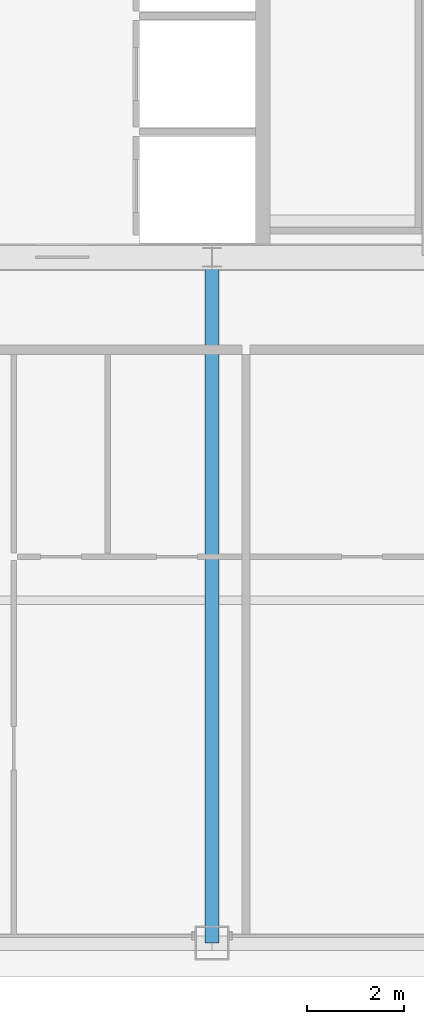
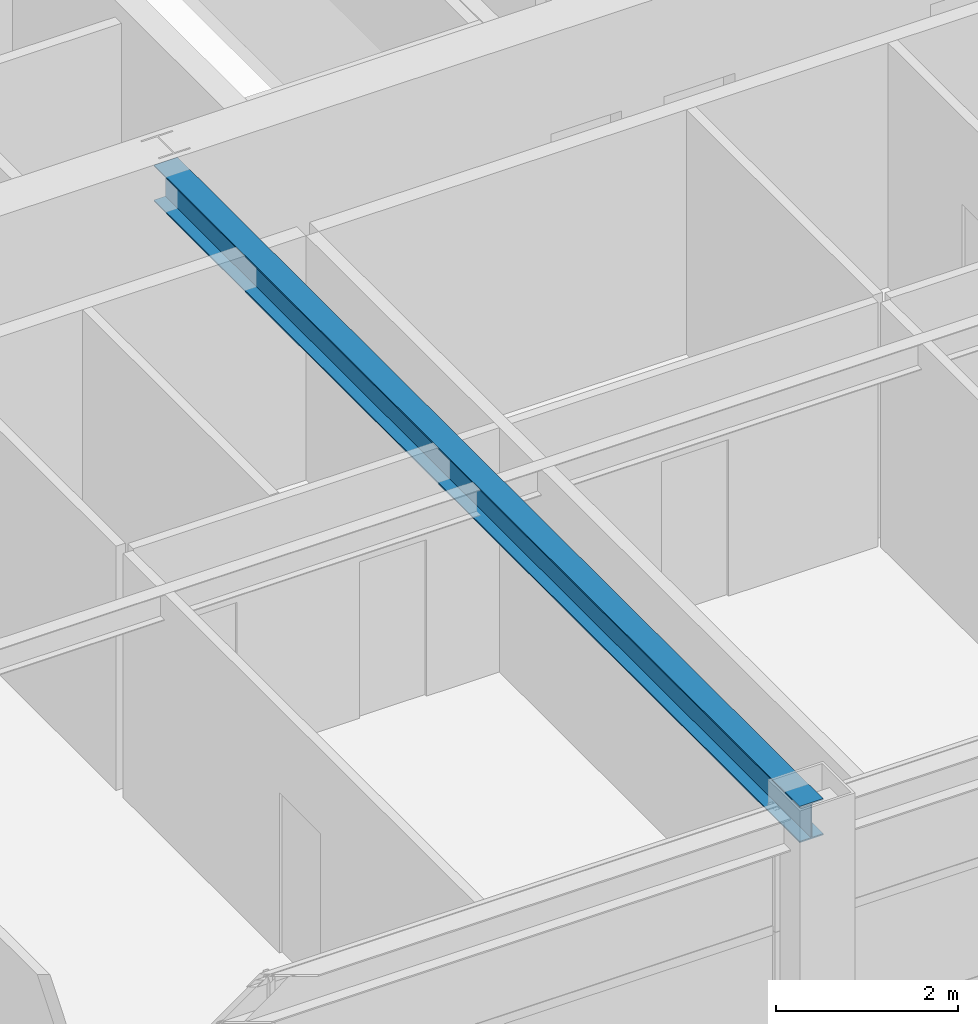
# One storey, part 10 of 36: 1 beam.
"""IFC4 building model written with IfcOpenShell, lengths in metres."""

from ifc_helpers import new_model, si_unit, direction, frame, origin, origin_2d, place, context, subcontext, project, spatial, i_section, extrude, source, transform, mapped, material, material_profile, profile_set, type_object, element, save


model = new_model("IFC4")

# Units and contexts
model_context = context("Model", 3, precision=1e-05, world=origin(), true_north=direction((0.0, 1.0)))
body_context = subcontext(model_context, "Body", "Model", "MODEL_VIEW")
ifc_project = project(units=[si_unit("LENGTHUNIT", "METRE"), si_unit("AREAUNIT", "SQUARE_METRE"), si_unit("VOLUMEUNIT", "CUBIC_METRE"), si_unit("PLANEANGLEUNIT", "RADIAN"), si_unit("MASSUNIT", "GRAM", prefix="KILO"), si_unit("THERMODYNAMICTEMPERATUREUNIT", "KELVIN"), si_unit("POWERUNIT", "WATT")], contexts=[model_context])

# Site, building, storey
site_placement = place(None, origin())
site = spatial("IfcSite", under=ifc_project, at=site_placement, CompositionType="ELEMENT")
building_placement = place(site_placement, origin())
building = spatial("IfcBuilding", under=site, at=building_placement, Name="Yuzanri Waterfront Tower", CompositionType="ELEMENT")
storey_placement = place(building_placement, frame((0.0, 0.0, 224.10009765625)))
storey = spatial("IfcBuildingStorey", under=building, at=storey_placement, Name="L59", CompositionType="ELEMENT", Elevation=224.10009765625)

# Beam
ifc_material = material(Name="Steel Q355B", Category="steel")
ifc_material_profile = material_profile(ifc_material, i_section(OverallWidth=0.300048828125, OverallDepth=0.488037109375, WebThickness=0.010986328125, FlangeThickness=0.01806640625, at=origin_2d()), Name="HM 488x300x11x18")
ifc_profile_set = profile_set([ifc_material_profile], Name="Steel Q355B")
beam_type = type_object("IfcBeamType", Name="Primary Floor Girder Q355B HM 488x300", PredefinedType="BEAM", material=ifc_profile_set)
shared_shape = source(origin(), body_context, "Body", "SweptSolid", [
    extrude(i_section(OverallWidth=0.300048828125, OverallDepth=0.488037109375, WebThickness=0.010986328125, FlangeThickness=0.01806640625, at=origin_2d()), origin(), (0.0, 0.0, 1.0), 14.199951171875),
])
beam_placement = place(storey_placement, frame((37.0, 19.39990234375, 3.035888671875), z_axis=(0.0, -1.0, 0.0), x_axis=(1.0, 0.0, 0.0)))
element("IfcBeam", 1, at=beam_placement, inside=storey, type_object=beam_type, Name="L59 South Grid Girder", PredefinedType="BEAM", context=body_context, shape_type="MappedRepresentation", body=[
    mapped(shared_shape, transform((0.0, 0.0, 0.0), scale=1.0)),
])

save(model, "model.ifc")
